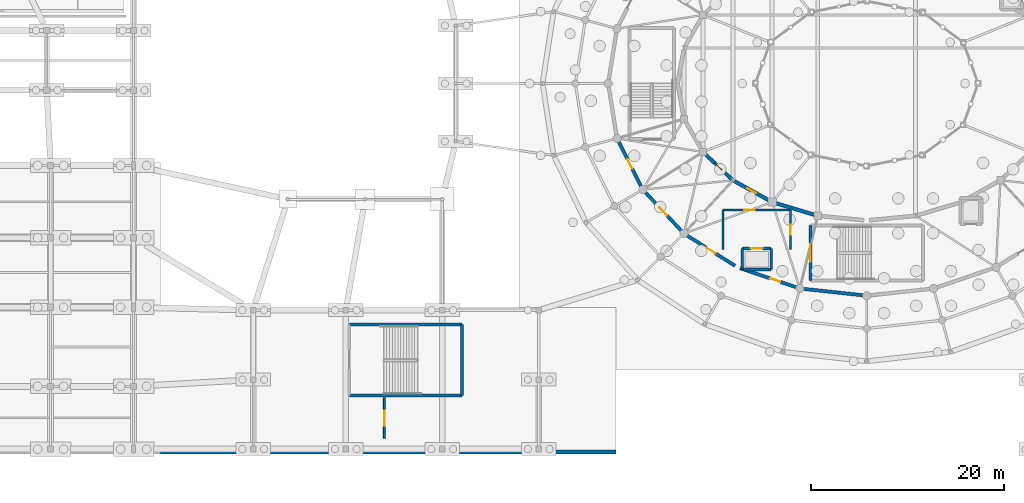
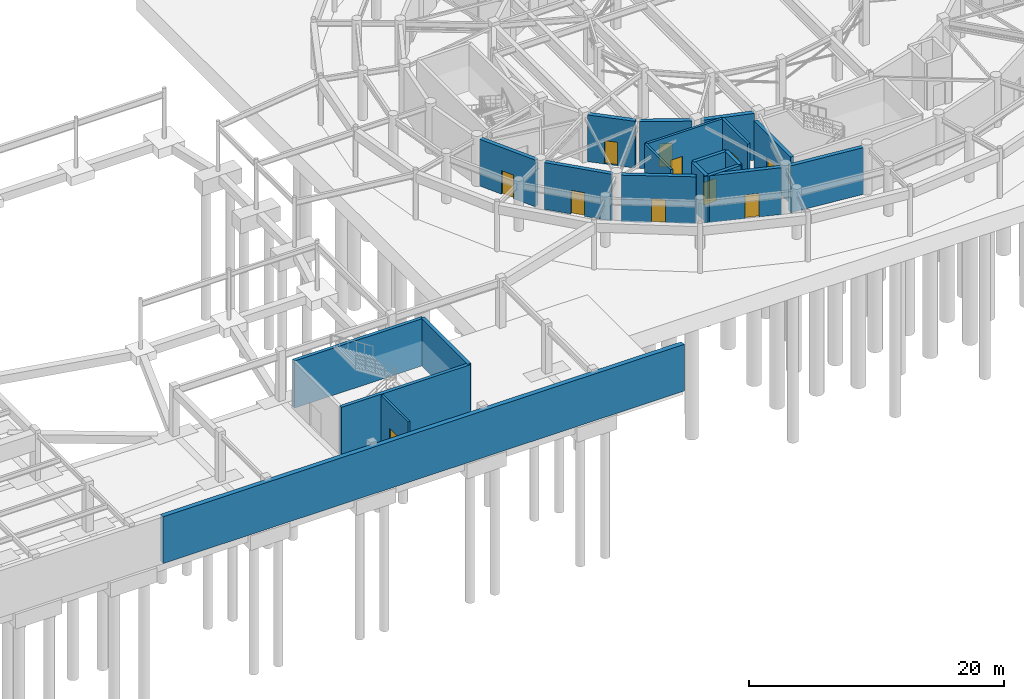
# One storey, part 37 of 68: 21 walls, 11 doors, 11 openings.
"""IFC4 building model written with IfcOpenShell, lengths in metres."""

import ifcopenshell
import ifcopenshell.guid

model = None  # the IFC model being written
_history = None  # IfcOwnerHistory: only IFC2X3 demands one
_inside = {}  # id of a spatial element -> (the spatial element, [elements in it])
_under = {}  # id of a project, library or spatial element -> (it, [spatial elements below it])
_declared = {}  # id of a project -> (the project, [libraries it declares])
_typed = {}  # id of a type object -> (the type object, [elements of that type])
_made_of = {}  # id of a material, layer set ... -> (it, [elements and type objects made of it])


def new_model(schema):
    """Start an empty IFC model of exactly this schema.

    Asked for "IFC4X3", IfcOpenShell would pick the latest addendum, in which some entities
    have other attributes; the version numbers below select the first issue.
    IFC2X3 requires an IfcOwnerHistory on every rooted entity: one is made here for all.
    """
    global model, _history
    if schema == "IFC4X3":
        model = ifcopenshell.file(schema_version=(4, 3, 0, 0))
    else:
        model = ifcopenshell.file(schema=schema)
    _inside.clear()
    _under.clear()
    _declared.clear()
    _typed.clear()
    _made_of.clear()
    _history = None
    if model.schema == "IFC2X3":
        org = make("IfcOrganization", Name="unknown")
        user = make(
            "IfcPersonAndOrganization",
            ThePerson=make("IfcPerson", FamilyName="unknown"),
            TheOrganization=org,
        )
        app = make(
            "IfcApplication",
            ApplicationDeveloper=org,
            Version="unknown",
            ApplicationFullName="unknown",
            ApplicationIdentifier="unknown",
        )
        _history = make(
            "IfcOwnerHistory",
            OwningUser=user,
            OwningApplication=app,
            ChangeAction="ADDED",
            CreationDate=0,
        )
    return model


def make(cls, **values):
    """One entity of the class cls with the attributes given. An attribute that is None is left unset."""
    return model.create_entity(
        cls, **{name: value for name, value in values.items() if value is not None}
    )


def rooted(cls, **values):
    """An entity with a GlobalId (a new one), such as an element, a storey or a relation."""
    return make(cls, GlobalId=ifcopenshell.guid.new(), OwnerHistory=_history, **values)


def si_unit(unit_type, name, prefix=None):
    """IfcSIUnit, for example si_unit("LENGTHUNIT", "METRE", prefix="MILLI")."""
    return make("IfcSIUnit", UnitType=unit_type, Prefix=prefix, Name=name)


def assignment(units):
    """IfcUnitAssignment: the units of a project."""
    return None if units is None else make("IfcUnitAssignment", Units=units)


def point(xyz):
    """IfcCartesianPoint."""
    return None if xyz is None else make("IfcCartesianPoint", Coordinates=xyz)


def direction(xyz):
    """IfcDirection."""
    return None if xyz is None else make("IfcDirection", DirectionRatios=xyz)


def frame(location, z_axis=None, x_axis=None):
    """IfcAxis2Placement3D, a coordinate frame: its origin and axes. An axis left out is left unset."""
    return make(
        "IfcAxis2Placement3D",
        Location=point(location),
        Axis=direction(z_axis),
        RefDirection=direction(x_axis),
    )


def frame_2d(location, x_axis=None):
    """IfcAxis2Placement2D, a coordinate frame in the plane: its origin and x axis."""
    return make(
        "IfcAxis2Placement2D", Location=point(location), RefDirection=direction(x_axis)
    )


def origin():
    """The frame at (0, 0, 0) with its axes left unset."""
    return frame((0.0, 0.0, 0.0))


def place(relative_to, where):
    """IfcLocalPlacement: puts the frame where relative to a parent placement (None: the world)."""
    return make(
        "IfcLocalPlacement", PlacementRelTo=relative_to, RelativePlacement=where
    )


def context(
    kind, dimensions, precision=None, world=None, true_north=None, identifier=None
):
    """IfcGeometricRepresentationContext, for example the 3D "Model" context."""
    return make(
        "IfcGeometricRepresentationContext",
        ContextIdentifier=identifier,
        ContextType=kind,
        CoordinateSpaceDimension=dimensions,
        Precision=precision,
        WorldCoordinateSystem=world,
        TrueNorth=true_north,
    )


def subcontext(parent, identifier, kind, view, scale=None):
    """IfcGeometricRepresentationSubContext, for example "Body" below "Model"."""
    return make(
        "IfcGeometricRepresentationSubContext",
        ContextIdentifier=identifier,
        ContextType=kind,
        ParentContext=parent,
        TargetScale=scale,
        TargetView=view,
    )


def project(units=None, contexts=None):
    """IfcProject with its units and contexts."""
    return rooted(
        "IfcProject",
        Name="project",
        RepresentationContexts=contexts,
        UnitsInContext=assignment(units),
    )


def spatial(cls, under=None, at=None, **own):
    """A site, building, storey or space (cls), placed at a placement, below another one or the project."""
    s = rooted(cls, ObjectPlacement=at, **own)
    if under is not None:
        _under.setdefault(under.id(), (under, []))[1].append(s)
    return s


def profile(cls, at=None, kind="AREA", **sizes):
    """A parametric profile (cls). Its sizes go by their IFC names, for example OverallWidth=200.0."""
    return make(cls, ProfileType=kind, Position=at, **sizes)


def rectangle(**sizes):
    """IfcRectangleProfileDef."""
    return profile("IfcRectangleProfileDef", **sizes)


def extrude(swept, where, along, depth):
    """IfcExtrudedAreaSolid: the profile swept, set in the frame where, extruded along a direction by depth."""
    return make(
        "IfcExtrudedAreaSolid",
        SweptArea=swept,
        Position=where,
        ExtrudedDirection=direction(along),
        Depth=depth,
    )


def shape(context_of_items, identifier, shape_type, items):
    """IfcShapeRepresentation: the items that make up one representation, for example the "Body"."""
    return make(
        "IfcShapeRepresentation",
        ContextOfItems=context_of_items,
        RepresentationIdentifier=identifier,
        RepresentationType=shape_type,
        Items=items,
    )


def material(Name=None, Category=None):
    """IfcMaterial."""
    return make("IfcMaterial", Name=Name, Category=Category)


def layer(
    of_material, thickness, ventilated=None, Name=None, Category=None, Priority=None
):
    """IfcMaterialLayer: one layer of a wall or slab, of a material (None: an air gap)."""
    return make(
        "IfcMaterialLayer",
        Material=of_material,
        LayerThickness=thickness,
        IsVentilated=ventilated,
        Name=Name,
        Category=Category,
        Priority=Priority,
    )


def layer_set(layers, Name=None):
    """IfcMaterialLayerSet."""
    return make("IfcMaterialLayerSet", MaterialLayers=layers, LayerSetName=Name)


def made_of(thing, what):
    """Note that an element or type object is made of a material, layer set ...; save() writes the relation."""
    if what is not None:
        _made_of.setdefault(what.id(), (what, []))[1].append(thing)
    return thing


def type_object(cls, material=None, **own):
    """A type object (cls), such as IfcWallType, which elements share."""
    return made_of(rooted(cls, **own), material)


def element(
    cls,
    number,
    at=None,
    inside=None,
    cuts=None,
    type_object=None,
    material=None,
    context=None,
    identifier="Body",
    shape_type=None,
    held_by="IfcProductDefinitionShape",
    body=None,
    shapes=None,
    **own,
):
    """One element of the class cls, such as IfcWall. Its Tag is "e" and its number.

    at: its placement. inside: the storey or other place that contains it. cuts: it is an
    opening in that element (IfcRelVoidsElement). A single representation is given by context,
    identifier, shape_type and body (its items); several are given by shapes. held_by: the class
    of the entity that holds the representations. save() writes the other relations.
    """
    e = rooted(cls, Tag="e%d" % number, ObjectPlacement=at, **own)
    if body is not None:
        shapes = [shape(context, identifier, shape_type, body)]
    if shapes is not None:
        e.Representation = make(held_by, Representations=shapes)
    if inside is not None:
        _inside.setdefault(inside.id(), (inside, []))[1].append(e)
    if cuts is not None:
        rooted(
            "IfcRelVoidsElement", RelatingBuildingElement=cuts, RelatedOpeningElement=e
        )
    if type_object is not None:
        _typed.setdefault(type_object.id(), (type_object, []))[1].append(e)
    return made_of(e, material)


def fill(opening, filler):
    """IfcRelFillsElement: the door or window that sits in an opening."""
    return rooted(
        "IfcRelFillsElement",
        RelatingOpeningElement=opening,
        RelatedBuildingElement=filler,
    )


def aggregate(whole, parts):
    """IfcRelAggregates: a whole, such as a stair, and the parts it consists of."""
    return rooted("IfcRelAggregates", RelatingObject=whole, RelatedObjects=parts)


def save(model, path):
    """Write the relations noted so far, then the file.

    IfcRelAggregates (storeys below a building ...), IfcRelContainedInSpatialStructure (elements
    in a storey), IfcRelDefinesByType, IfcRelAssociatesMaterial and IfcRelDeclares: one each for
    every whole, place, type object, material and project.
    """
    for whole, parts in _under.values():
        aggregate(whole, parts)
    for where, things in _inside.values():
        rooted(
            "IfcRelContainedInSpatialStructure",
            RelatedElements=things,
            RelatingStructure=where,
        )
    for kind, things in _typed.values():
        rooted("IfcRelDefinesByType", RelatedObjects=things, RelatingType=kind)
    for what, things in _made_of.values():
        rooted("IfcRelAssociatesMaterial", RelatedObjects=things, RelatingMaterial=what)
    for by, libraries in _declared.values():
        rooted("IfcRelDeclares", RelatingContext=by, RelatedDefinitions=libraries)
    model.write(path)


model = new_model("IFC4")

# Units and contexts
model_context = context("Model", 3, precision=1e-05, world=origin(), true_north=direction((0.0, 1.0)))
body_context = subcontext(model_context, "Body", "Model", "MODEL_VIEW")
ifc_project = project(units=[si_unit("LENGTHUNIT", "METRE"), si_unit("AREAUNIT", "SQUARE_METRE"), si_unit("VOLUMEUNIT", "CUBIC_METRE"), si_unit("PLANEANGLEUNIT", "RADIAN"), si_unit("MASSUNIT", "GRAM", prefix="KILO")], contexts=[model_context])

# Site, building, storey
site_placement = place(None, origin())
site = spatial("IfcSite", under=ifc_project, at=site_placement, CompositionType="ELEMENT")
building_placement = place(site_placement, origin())
building = spatial("IfcBuilding", under=site, at=building_placement, Name="Cinderbank Siding Concert Hall", CompositionType="ELEMENT")
storey_placement = place(building_placement, frame((0.0, 0.0, -4.800048828125)))
storey = spatial("IfcBuildingStorey", under=building, at=storey_placement, Name="B1", CompositionType="ELEMENT", Elevation=-4.800048828125)

# Wall, opening, door
ifc_material_1 = material(Name="Reinforced concrete AS 3600 N50 (50 MPa)", Category="concrete")
ifc_layer_1 = layer(ifc_material_1, 0.3798828125)
ifc_layer_set_1 = layer_set([ifc_layer_1], Name="Reinforced concrete AS 3600 N50 (50 MPa)")
wall_type_1 = type_object("IfcWallType", Name="WL-01 Structural Wall 380mm", PredefinedType="SOLIDWALL", material=ifc_layer_set_1)
wall_1_placement = place(storey_placement, frame((105.233154296875, 36.704345703125, 0.0), z_axis=(0.0, 0.0, 1.0), x_axis=(0.727103094912, -0.686528287377, 0.0)))
wall_1 = element("IfcWall", 1, at=wall_1_placement, inside=storey, type_object=wall_type_1, Name="B1 Structural Wall SW-E1-B1-15", PredefinedType="SOLIDWALL", context=body_context, shape_type="SweptSolid", body=[
    extrude(rectangle(XDim=3.8388671875, YDim=0.3798828125, at=frame_2d((1.91943359375, 0.0))), origin(), (0.0, 0.0, 1.0), 4.47998046875),
])
opening_1_placement = place(wall_1_placement, frame((1.389404296875, 0.0, 0.0)))
opening_1 = element("IfcOpeningElement", 2, at=opening_1_placement, cuts=wall_1, Name="Opening D-18", PredefinedType="OPENING", context=body_context, shape_type="SweptSolid", body=[
    extrude(rectangle(XDim=1.06005859375, YDim=2.239990234375, at=frame_2d((0.530029296875, 1.1201171875))), frame((0.0, 0.201904296875, 0.0), z_axis=(0.0, -1.0, 0.0), x_axis=(1.0, 0.0, 0.0)), (0.0, 0.0, 1.0), 0.40380859375),
])
ifc_material_2 = material(Name="Solid-core spotted gum acoustic timber", Category="wood")
door_type_1 = type_object("IfcDoorType", Name="D-18 Interior Door 1060x2240", OperationType="NOTDEFINED", PredefinedType="DOOR", material=ifc_material_2)
door_1_placement = place(opening_1_placement, origin())
door_1 = element("IfcDoor", 3, at=door_1_placement, inside=storey, type_object=door_type_1, Name="B1 Auditorium Sound-Lock Door B1-D103", OperationType="SINGLE_SWING_RIGHT", OverallHeight=2.239990234375, OverallWidth=1.06005859375, PredefinedType="DOOR", context=body_context, shape_type="SweptSolid", body=[
    extrude(rectangle(XDim=1.06005859375, YDim=2.239990234375, at=frame_2d((0.530029296875, 1.1201171875))), frame((0.0, 0.02490234375, 0.0), z_axis=(0.0, -1.0, 0.0), x_axis=(1.0, 0.0, 0.0)), (0.0, 0.0, 1.0), 0.050048828125),
])
fill(opening_1, door_1)

wall_2_placement = place(storey_placement, frame((108.280517578125, 33.88134765625, 0.0), z_axis=(0.0, 0.0, 1.0), x_axis=(0.874014845015, -0.485899218659, 0.0)))
wall_2 = element("IfcWall", 4, at=wall_2_placement, inside=storey, type_object=wall_type_1, Name="B1 Structural Wall SW-E1-B1-16", PredefinedType="SOLIDWALL", context=body_context, shape_type="SweptSolid", body=[
    extrude(rectangle(XDim=4.12451171875, YDim=0.3798828125, at=frame_2d((2.062255859375, 0.0))), origin(), (0.0, 0.0, 1.0), 4.47998046875),
])
opening_2_placement = place(wall_2_placement, frame((1.5322265625, 0.0, 0.0)))
opening_2 = element("IfcOpeningElement", 5, at=opening_2_placement, cuts=wall_2, Name="Opening D-18", PredefinedType="OPENING", context=body_context, shape_type="SweptSolid", body=[
    extrude(rectangle(XDim=1.06005859375, YDim=2.239990234375, at=frame_2d((0.530029296875, 1.1201171875))), frame((0.0, 0.201904296875, 0.0), z_axis=(0.0, -1.0, 0.0), x_axis=(1.0, 0.0, 0.0)), (0.0, 0.0, 1.0), 0.40380859375),
])
door_2_placement = place(opening_2_placement, origin())
door_2 = element("IfcDoor", 6, at=door_2_placement, inside=storey, type_object=door_type_1, Name="B1 Auditorium Sound-Lock Door B1-D104", OperationType="SINGLE_SWING_LEFT", OverallHeight=2.239990234375, OverallWidth=1.06005859375, PredefinedType="DOOR", context=body_context, shape_type="SweptSolid", body=[
    extrude(rectangle(XDim=1.06005859375, YDim=2.239990234375, at=frame_2d((0.530029296875, 1.1201171875))), frame((0.0, 0.02490234375, 0.0), z_axis=(0.0, -1.0, 0.0), x_axis=(1.0, 0.0, 0.0)), (0.0, 0.0, 1.0), 0.050048828125),
])
fill(opening_2, door_2)

# Wall
wall_3_placement = place(storey_placement, frame((112.544921875, 31.598876953125, 0.0), z_axis=(0.0, 0.0, 1.0), x_axis=(0.95780895372, -0.287405650907, 0.0)))
element("IfcWall", 7, at=wall_3_placement, inside=storey, type_object=wall_type_1, Name="B1 Structural Wall SW-E1-B1-17", PredefinedType="SOLIDWALL", context=body_context, shape_type="SweptSolid", body=[
    extrude(rectangle(XDim=4.26513671875, YDim=0.3798828125, at=frame_2d((2.132568359375, 0.0))), origin(), (0.0, 0.0, 1.0), 4.47998046875),
])

# Wall, opening, door
ifc_layer_2 = layer(ifc_material_1, 0.35009765625)
ifc_layer_set_2 = layer_set([ifc_layer_2], Name="Reinforced concrete AS 3600 N50 (50 MPa)")
wall_type_2 = type_object("IfcWallType", Name="WL-02 Structural Wall 350mm", PredefinedType="SHEAR", material=ifc_layer_set_2)
wall_4_placement = place(storey_placement, frame((96.275390625, 37.984619140625, 0.0), z_axis=(0.0, 0.0, 1.0), x_axis=(0.450482420117, -0.892785298471, 0.0)))
wall_4 = element("IfcWall", 8, at=wall_4_placement, inside=storey, type_object=wall_type_2, Name="B1 Structural Wall SW-E2-B1-14", PredefinedType="SHEAR", context=body_context, shape_type="SweptSolid", body=[
    extrude(rectangle(XDim=5.223388671875, YDim=0.35009765625, at=frame_2d((2.61181640625, 0.0))), origin(), (0.0, 0.0, 1.0), 4.47998046875),
])
opening_3_placement = place(wall_4_placement, frame((2.051513671875, 0.0, 0.0)))
opening_3 = element("IfcOpeningElement", 9, at=opening_3_placement, cuts=wall_4, Name="Opening D-19", PredefinedType="OPENING", context=body_context, shape_type="SweptSolid", body=[
    extrude(rectangle(XDim=1.1201171875, YDim=2.260009765625, at=frame_2d((0.56005859375, 1.1298828125))), frame((0.0, 0.18701171875, 0.0), z_axis=(0.0, -1.0, 0.0), x_axis=(1.0, 0.0, 0.0)), (0.0, 0.0, 1.0), 0.3740234375),
])
door_type_2 = type_object("IfcDoorType", Name="D-19 Interior Door 1120x2260", OperationType="NOTDEFINED", PredefinedType="DOOR", material=ifc_material_2)
door_3_placement = place(opening_3_placement, origin())
door_3 = element("IfcDoor", 10, at=door_3_placement, inside=storey, type_object=door_type_2, Name="B1 Auditorium Sound-Lock Door B1-D112", OperationType="SINGLE_SWING_LEFT", OverallHeight=2.260009765625, OverallWidth=1.1201171875, PredefinedType="DOOR", context=body_context, shape_type="SweptSolid", body=[
    extrude(rectangle(XDim=1.1201171875, YDim=2.260009765625, at=frame_2d((0.56005859375, 1.1298828125))), frame((0.0, 0.02490234375, 0.0), z_axis=(0.0, -1.0, 0.0), x_axis=(1.0, 0.0, 0.0)), (0.0, 0.0, 1.0), 0.050048828125),
])
fill(opening_3, door_3)

wall_5_placement = place(storey_placement, frame((99.036376953125, 32.737060546875, 0.0), z_axis=(0.0, 0.0, 1.0), x_axis=(0.682874636689, -0.730535577893, 0.0)))
wall_5 = element("IfcWall", 11, at=wall_5_placement, inside=storey, type_object=wall_type_2, Name="B1 Structural Wall SW-E2-B1-15", PredefinedType="SHEAR", context=body_context, shape_type="SweptSolid", body=[
    extrude(rectangle(XDim=5.516845703125, YDim=0.35009765625, at=frame_2d((2.75830078125, 0.0))), origin(), (0.0, 0.0, 1.0), 4.47998046875),
])
opening_4_placement = place(wall_5_placement, frame((2.198486328125, 0.0, 0.0)))
opening_4 = element("IfcOpeningElement", 12, at=opening_4_placement, cuts=wall_5, Name="Opening D-19", PredefinedType="OPENING", context=body_context, shape_type="SweptSolid", body=[
    extrude(rectangle(XDim=1.1201171875, YDim=2.260009765625, at=frame_2d((0.56005859375, 1.1298828125))), frame((0.0, 0.18701171875, 0.0), z_axis=(0.0, -1.0, 0.0), x_axis=(1.0, 0.0, 0.0)), (0.0, 0.0, 1.0), 0.3740234375),
])
door_4_placement = place(opening_4_placement, origin())
door_4 = element("IfcDoor", 13, at=door_4_placement, inside=storey, type_object=door_type_2, Name="B1 Auditorium Sound-Lock Door B1-D113", OperationType="SINGLE_SWING_RIGHT", OverallHeight=2.260009765625, OverallWidth=1.1201171875, PredefinedType="DOOR", context=body_context, shape_type="SweptSolid", body=[
    extrude(rectangle(XDim=1.1201171875, YDim=2.260009765625, at=frame_2d((0.56005859375, 1.1298828125))), frame((0.0, 0.02490234375, 0.0), z_axis=(0.0, -1.0, 0.0), x_axis=(1.0, 0.0, 0.0)), (0.0, 0.0, 1.0), 0.050048828125),
])
fill(opening_4, door_4)

wall_6_placement = place(storey_placement, frame((103.35400390625, 28.251708984375, 0.0), z_axis=(0.0, 0.0, 1.0), x_axis=(0.846151979506, -0.532941673712, 0.0)))
wall_6 = element("IfcWall", 14, at=wall_6_placement, inside=storey, type_object=wall_type_2, Name="B1 Structural Wall SW-E2-B1-16", PredefinedType="SHEAR", context=body_context, shape_type="SweptSolid", body=[
    extrude(rectangle(XDim=5.89990234375, YDim=0.35009765625, at=frame_2d((2.949951171875, 0.0))), origin(), (0.0, 0.0, 1.0), 4.47998046875),
])
opening_5_placement = place(wall_6_placement, frame((2.389892578125, 0.0, 0.0)))
opening_5 = element("IfcOpeningElement", 15, at=opening_5_placement, cuts=wall_6, Name="Opening D-19", PredefinedType="OPENING", context=body_context, shape_type="SweptSolid", body=[
    extrude(rectangle(XDim=1.1201171875, YDim=2.260009765625, at=frame_2d((0.56005859375, 1.1298828125))), frame((0.0, 0.18701171875, 0.0), z_axis=(0.0, -1.0, 0.0), x_axis=(1.0, 0.0, 0.0)), (0.0, 0.0, 1.0), 0.3740234375),
])
door_5_placement = place(opening_5_placement, origin())
door_5 = element("IfcDoor", 16, at=door_5_placement, inside=storey, type_object=door_type_2, Name="B1 Auditorium Sound-Lock Door B1-D114", OperationType="SINGLE_SWING_LEFT", OverallHeight=2.260009765625, OverallWidth=1.1201171875, PredefinedType="DOOR", context=body_context, shape_type="SweptSolid", body=[
    extrude(rectangle(XDim=1.1201171875, YDim=2.260009765625, at=frame_2d((0.56005859375, 1.1298828125))), frame((0.0, 0.02490234375, 0.0), z_axis=(0.0, -1.0, 0.0), x_axis=(1.0, 0.0, 0.0)), (0.0, 0.0, 1.0), 0.050048828125),
])
fill(opening_5, door_5)

wall_7_placement = place(storey_placement, frame((108.884033203125, 24.850830078125, 0.0), z_axis=(0.0, 0.0, 1.0), x_axis=(0.946765988255, -0.321922604804, 0.0)))
wall_7 = element("IfcWall", 17, at=wall_7_placement, inside=storey, type_object=wall_type_2, Name="B1 Structural Wall SW-E2-B1-17", PredefinedType="SHEAR", context=body_context, shape_type="SweptSolid", body=[
    extrude(rectangle(XDim=6.167236328125, YDim=0.35009765625, at=frame_2d((3.08349609375, 0.0))), origin(), (0.0, 0.0, 1.0), 4.47998046875),
])
opening_6_placement = place(wall_7_placement, frame((3.2734375, 0.0, 0.0)))
opening_6 = element("IfcOpeningElement", 18, at=opening_6_placement, cuts=wall_7, Name="Opening D-19", PredefinedType="OPENING", context=body_context, shape_type="SweptSolid", body=[
    extrude(rectangle(XDim=1.1201171875, YDim=2.260009765625, at=frame_2d((0.56005859375, 1.1298828125))), frame((0.0, 0.18701171875, 0.0), z_axis=(0.0, -1.0, 0.0), x_axis=(1.0, 0.0, 0.0)), (0.0, 0.0, 1.0), 0.3740234375),
])
door_6_placement = place(opening_6_placement, origin())
door_6 = element("IfcDoor", 19, at=door_6_placement, inside=storey, type_object=door_type_2, Name="B1 Auditorium Sound-Lock Door B1-D115", OperationType="SINGLE_SWING_RIGHT", OverallHeight=2.260009765625, OverallWidth=1.1201171875, PredefinedType="DOOR", context=body_context, shape_type="SweptSolid", body=[
    extrude(rectangle(XDim=1.1201171875, YDim=2.260009765625, at=frame_2d((0.56005859375, 1.1298828125))), frame((0.0, 0.02490234375, 0.0), z_axis=(0.0, -1.0, 0.0), x_axis=(1.0, 0.0, 0.0)), (0.0, 0.0, 1.0), 0.050048828125),
])
fill(opening_6, door_6)

# Wall
wall_8_placement = place(storey_placement, frame((115.42138671875, 22.7109375, 0.0), z_axis=(0.0, 0.0, 1.0), x_axis=(0.994213694453, -0.107420341477, 0.0)))
element("IfcWall", 20, at=wall_8_placement, inside=storey, type_object=wall_type_2, Name="B1 Structural Wall SW-E2-B1-18", PredefinedType="SHEAR", context=body_context, shape_type="SweptSolid", body=[
    extrude(rectangle(XDim=6.2568359375, YDim=0.35009765625, at=frame_2d((3.12841796875, 0.0))), origin(), (0.0, 0.0, 1.0), 4.47998046875),
])

# Wall, opening, door
ifc_layer_3 = layer(ifc_material_1, 0.300048828125)
ifc_layer_set_3 = layer_set([ifc_layer_3], Name="Reinforced concrete AS 3600 N50 (50 MPa)")
wall_type_3 = type_object("IfcWallType", Name="WL-03 Structural Wall 300mm", PredefinedType="SHEAR", material=ifc_layer_set_3)
wall_9_placement = place(storey_placement, frame((116.159912109375, 23.56005859375, 0.0), z_axis=(0.0, 0.0, 1.0), x_axis=(0.0, 1.0, 0.0)))
wall_9 = element("IfcWall", 21, at=wall_9_placement, inside=storey, type_object=wall_type_3, Name="B1 ST-02 Core Wall ENTRY", PredefinedType="SHEAR", context=body_context, shape_type="SweptSolid", body=[
    extrude(rectangle(XDim=5.739990234375, YDim=0.300048828125, at=frame_2d((2.8701171875, 0.0))), origin(), (0.0, 0.0, 1.0), 4.5),
])
opening_7_placement = place(wall_9_placement, frame((1.969970703125, 0.0, 0.0)))
opening_7 = element("IfcOpeningElement", 22, at=opening_7_placement, cuts=wall_9, Name="Opening D-05", PredefinedType="OPENING", context=body_context, shape_type="SweptSolid", body=[
    extrude(rectangle(XDim=1.800048828125, YDim=2.199951171875, at=frame_2d((0.89990234375, 1.10009765625))), frame((0.0, 0.162109375, 0.0), z_axis=(0.0, -1.0, 0.0), x_axis=(1.0, 0.0, 0.0)), (0.0, 0.0, 1.0), 0.323974609375),
])
ifc_material_3 = material(Name="Galvanised sheet steel acoustic fire door assembly", Category="steel")
door_type_3 = type_object("IfcDoorType", Name="D-05 Interior Door 1800x2200", OperationType="DOUBLE_DOOR_SINGLE_SWING", PredefinedType="DOOR", material=ifc_material_3)
door_7_placement = place(opening_7_placement, origin())
door_7 = element("IfcDoor", 23, at=door_7_placement, inside=storey, type_object=door_type_3, Name="B1 ST-02 Fire Stair Door B1-D008", OperationType="DOUBLE_DOOR_SINGLE_SWING", OverallHeight=2.199951171875, OverallWidth=1.800048828125, PredefinedType="DOOR", context=body_context, shape_type="SweptSolid", body=[
    extrude(rectangle(XDim=1.800048828125, YDim=2.199951171875, at=frame_2d((0.89990234375, 1.10009765625))), frame((0.0, 0.02490234375, 0.0), z_axis=(0.0, -1.0, 0.0), x_axis=(1.0, 0.0, 0.0)), (0.0, 0.0, 1.0), 0.050048828125),
])
fill(opening_7, door_7)

# Walls
wall_10_placement = place(storey_placement, frame((80.0400390625, 19.0, 0.0), z_axis=(0.0, 0.0, 1.0), x_axis=(0.0, -1.0, 0.0)))
element("IfcWall", 24, at=wall_10_placement, inside=storey, type_object=wall_type_3, Name="B1 ST-08 Core Wall FAR", PredefinedType="SHEAR", context=body_context, shape_type="SweptSolid", body=[
    extrude(rectangle(XDim=7.340087890625, YDim=0.300048828125, at=frame_2d((3.669921875, 0.0))), origin(), (0.0, 0.0, 1.0), 4.52001953125),
])
for number, where, z_axis, x_axis, name in (
    (25, (80.0400390625, 11.659912109375, 0.0), (0.0, 0.0, 1.0), (-1.0, 0.0, 0.0), "B1 ST-08 Core Wall SIDE1"),
    (26, (68.360107421875, 19.0, 0.0), (0.0, 0.0, 1.0), (1.0, 0.0, 0.0), "B1 ST-08 Core Wall SIDE2"),
):
    element("IfcWall", number, at=place(storey_placement, frame(where, z_axis=z_axis, x_axis=x_axis)), inside=storey, type_object=wall_type_3, Name=name, PredefinedType="SHEAR", context=body_context, shape_type="SweptSolid", body=[
        extrude(rectangle(XDim=11.679931640625, YDim=0.300048828125, at=frame_2d((5.83984375, 0.0))), origin(), (0.0, 0.0, 1.0), 4.52001953125),
    ])
wall_11_placement = place(storey_placement, frame((112.10009765625, 24.699951171875, 0.0), z_axis=(0.0, 0.0, 1.0), x_axis=(-1.0, 0.0, 0.0)))
element("IfcWall", 27, at=wall_11_placement, inside=storey, type_object=wall_type_3, Name="B1 LF-05 Shaft Wall -Y", PredefinedType="SHEAR", context=body_context, shape_type="SweptSolid", body=[
    extrude(rectangle(XDim=3.0, YDim=0.300048828125, at=frame_2d((1.5, 0.0))), origin(), (0.0, 0.0, 1.0), 4.47998046875),
])
wall_12_placement = place(storey_placement, frame((112.10009765625, 26.89990234375, 0.0), z_axis=(0.0, 0.0, 1.0), x_axis=(0.0, -1.0, 0.0)))
element("IfcWall", 28, at=wall_12_placement, inside=storey, type_object=wall_type_3, Name="B1 LF-05 Shaft Wall +X", PredefinedType="SHEAR", context=body_context, shape_type="SweptSolid", body=[
    extrude(rectangle(XDim=2.199951171875, YDim=0.300048828125, at=frame_2d((1.10009765625, 0.0))), origin(), (0.0, 0.0, 1.0), 4.5),
])

# Wall, opening, door
wall_13_placement = place(storey_placement, frame((109.10009765625, 26.89990234375, 0.0), z_axis=(0.0, 0.0, 1.0), x_axis=(1.0, 0.0, 0.0)))
wall_13 = element("IfcWall", 29, at=wall_13_placement, inside=storey, type_object=wall_type_3, Name="B1 LF-05 Shaft Wall +Y", PredefinedType="SHEAR", context=body_context, shape_type="SweptSolid", body=[
    extrude(rectangle(XDim=3.0, YDim=0.300048828125, at=frame_2d((1.5, 0.0))), origin(), (0.0, 0.0, 1.0), 4.5),
])
opening_8_placement = place(wall_13_placement, frame((0.89990234375, 0.0, 0.0)))
opening_8 = element("IfcOpeningElement", 30, at=opening_8_placement, cuts=wall_13, Name="Opening LD-02", PredefinedType="OPENING", context=body_context, shape_type="SweptSolid", body=[
    extrude(rectangle(XDim=1.199951171875, YDim=2.14990234375, at=frame_2d((0.60009765625, 1.074951171875))), frame((0.0, 0.162109375, 0.0), z_axis=(0.0, -1.0, 0.0), x_axis=(1.0, 0.0, 0.0)), (0.0, 0.0, 1.0), 0.323974609375),
])
door_type_4 = type_object("IfcDoorType", Name="LD-02 Interior Door 1200x2150", OperationType="DOUBLE_DOOR_SLIDING", PredefinedType="DOOR", material=ifc_material_3)
door_8_placement = place(opening_8_placement, origin())
door_8 = element("IfcDoor", 31, at=door_8_placement, inside=storey, type_object=door_type_4, Name="B1 LF-05 Sliding Landing Door", OperationType="DOUBLE_DOOR_SLIDING", OverallHeight=2.14990234375, OverallWidth=1.199951171875, PredefinedType="DOOR", context=body_context, shape_type="SweptSolid", body=[
    extrude(rectangle(XDim=1.199951171875, YDim=2.14990234375, at=frame_2d((0.60009765625, 1.074951171875))), frame((0.0, 0.02490234375, 0.0), z_axis=(0.0, -1.0, 0.0), x_axis=(1.0, 0.0, 0.0)), (0.0, 0.0, 1.0), 0.050048828125),
])
fill(opening_8, door_8)

# Walls
wall_14_placement = place(storey_placement, frame((109.10009765625, 24.699951171875, 0.0), z_axis=(0.0, 0.0, 1.0), x_axis=(0.0, 1.0, 0.0)))
element("IfcWall", 32, at=wall_14_placement, inside=storey, type_object=wall_type_3, Name="B1 LF-05 Shaft Wall -X", PredefinedType="SHEAR", context=body_context, shape_type="SweptSolid", body=[
    extrude(rectangle(XDim=2.199951171875, YDim=0.300048828125, at=frame_2d((1.10009765625, 0.0))), origin(), (0.0, 0.0, 1.0), 4.47998046875),
])
ifc_material_4 = material(Name="Reinforced concrete AS 3600 N40 (40 MPa)", Category="concrete")
ifc_layer_4 = layer(ifc_material_4, 0.419921875)
ifc_layer_set_4 = layer_set([ifc_layer_4], Name="Reinforced concrete AS 3600 N40 (40 MPa)")
wall_type_4 = type_object("IfcWallType", Name="WL-04 Structural Wall 420mm", PredefinedType="SOLIDWALL", material=ifc_layer_set_4)
wall_15_placement = place(storey_placement, frame((48.800048828125, 5.800048828125, 0.0), z_axis=(0.0, 0.0, 1.0), x_axis=(1.0, 0.0, 0.0)))
element("IfcWall", 33, at=wall_15_placement, inside=storey, type_object=wall_type_4, Name="B1 Structural Wall SW-B1-RET-02", PredefinedType="SOLIDWALL", context=body_context, shape_type="SweptSolid", body=[
    extrude(rectangle(XDim=47.199951171875, YDim=0.419921875, at=frame_2d((23.60009765625, 0.0))), origin(), (0.0, 0.0, 1.0), 4.47998046875),
])

# Wall, opening, door
ifc_layer_5 = layer(ifc_material_1, 0.219970703125)
ifc_layer_set_5 = layer_set([ifc_layer_5], Name="Reinforced concrete AS 3600 N50 (50 MPa)")
wall_type_5 = type_object("IfcWallType", Name="WL-06 Interior Wall 220mm", PredefinedType="SOLIDWALL", material=ifc_layer_set_5)
wall_16_placement = place(storey_placement, frame((107.10009765625, 30.89990234375, 0.0), z_axis=(0.0, 0.0, 1.0), x_axis=(1.0, 0.0, 0.0)))
wall_16 = element("IfcWall", 34, at=wall_16_placement, inside=storey, type_object=wall_type_5, Name="B1 Firefighting Lobby Wall FFLS-N", PredefinedType="SOLIDWALL", context=body_context, shape_type="SweptSolid", body=[
    extrude(rectangle(XDim=7.0, YDim=0.219970703125, at=frame_2d((3.5, 0.0))), origin(), (0.0, 0.0, 1.0), 4.485107421875),
])
opening_9_placement = place(wall_16_placement, frame((2.22509765625, 0.0, 0.0)))
opening_9 = element("IfcOpeningElement", 35, at=opening_9_placement, cuts=wall_16, Name="Opening D-02", PredefinedType="OPENING", context=body_context, shape_type="SweptSolid", body=[
    extrude(rectangle(XDim=1.050048828125, YDim=2.14990234375, at=frame_2d((0.52490234375, 1.074951171875))), frame((0.0, 0.1220703125, 0.0), z_axis=(0.0, -1.0, 0.0), x_axis=(1.0, 0.0, 0.0)), (0.0, 0.0, 1.0), 0.243896484375),
])
door_type_5 = type_object("IfcDoorType", Name="D-02 Interior Door 1050x2150", OperationType="NOTDEFINED", PredefinedType="DOOR", material=ifc_material_3)
door_9_placement = place(opening_9_placement, origin())
door_9 = element("IfcDoor", 36, at=door_9_placement, inside=storey, type_object=door_type_5, Name="B1 Firefighting Lobby Door B1-D064", OperationType="SINGLE_SWING_LEFT", OverallHeight=2.14990234375, OverallWidth=1.050048828125, PredefinedType="DOOR", context=body_context, shape_type="SweptSolid", body=[
    extrude(rectangle(XDim=1.050048828125, YDim=2.14990234375, at=frame_2d((0.52490234375, 1.074951171875))), frame((0.0, 0.02490234375, 0.0), z_axis=(0.0, -1.0, 0.0), x_axis=(1.0, 0.0, 0.0)), (0.0, 0.0, 1.0), 0.050048828125),
])
fill(opening_9, door_9)

# Wall
wall_17_placement = place(storey_placement, frame((107.10009765625, 26.800048828125, 0.0), z_axis=(0.0, 0.0, 1.0), x_axis=(0.0, 1.0, 0.0)))
element("IfcWall", 37, at=wall_17_placement, inside=storey, type_object=wall_type_5, Name="B1 Firefighting Lobby Wall FFLS-W", PredefinedType="SOLIDWALL", context=body_context, shape_type="SweptSolid", body=[
    extrude(rectangle(XDim=4.099853515625, YDim=0.219970703125, at=frame_2d((2.0498046875, 0.0))), origin(), (0.0, 0.0, 1.0), 4.485107421875),
])

# Wall, opening, door
wall_18_placement = place(storey_placement, frame((114.10009765625, 30.89990234375, 0.0), z_axis=(0.0, 0.0, 1.0), x_axis=(0.0, -1.0, 0.0)))
wall_18 = element("IfcWall", 38, at=wall_18_placement, inside=storey, type_object=wall_type_5, Name="B1 Firefighting Lobby Wall FFLS-E", PredefinedType="SOLIDWALL", context=body_context, shape_type="SweptSolid", body=[
    extrude(rectangle(XDim=4.099853515625, YDim=0.219970703125, at=frame_2d((2.0498046875, 0.0))), origin(), (0.0, 0.0, 1.0), 4.485107421875),
])
opening_10_placement = place(wall_18_placement, frame((1.52490234375, 0.0, 0.0)))
opening_10 = element("IfcOpeningElement", 39, at=opening_10_placement, cuts=wall_18, Name="Opening D-02", PredefinedType="OPENING", context=body_context, shape_type="SweptSolid", body=[
    extrude(rectangle(XDim=1.050048828125, YDim=2.14990234375, at=frame_2d((0.52490234375, 1.074951171875))), frame((0.0, 0.1220703125, 0.0), z_axis=(0.0, -1.0, 0.0), x_axis=(1.0, 0.0, 0.0)), (0.0, 0.0, 1.0), 0.243896484375),
])
door_10_placement = place(opening_10_placement, origin())
door_10 = element("IfcDoor", 40, at=door_10_placement, inside=storey, type_object=door_type_5, Name="B1 Firefighting Lobby Door B1-D065", OperationType="SINGLE_SWING_RIGHT", OverallHeight=2.14990234375, OverallWidth=1.050048828125, PredefinedType="DOOR", context=body_context, shape_type="SweptSolid", body=[
    extrude(rectangle(XDim=1.050048828125, YDim=2.14990234375, at=frame_2d((0.52490234375, 1.074951171875))), frame((0.0, 0.02490234375, 0.0), z_axis=(0.0, -1.0, 0.0), x_axis=(1.0, 0.0, 0.0)), (0.0, 0.0, 1.0), 0.050048828125),
])
fill(opening_10, door_10)

ifc_material_5 = material(Name="Acoustic plasterboard on light-gauge steel studs", Category="gypsum")
ifc_layer_6 = layer(ifc_material_5, 0.199951171875)
ifc_layer_set_6 = layer_set([ifc_layer_6], Name="Acoustic plasterboard on light-gauge steel studs")
wall_type_6 = type_object("IfcWallType", Name="WL-12 Interior Wall 200mm", PredefinedType="PARTITIONING", material=ifc_layer_set_6)
wall_19_placement = place(storey_placement, frame((72.0, 7.199951171875, 0.0), z_axis=(0.0, 0.0, 1.0), x_axis=(0.0, 1.0, 0.0)))
wall_19 = element("IfcWall", 41, at=wall_19_placement, inside=storey, type_object=wall_type_6, Name="B1 Partition Stage Technical Store Entry", PredefinedType="PARTITIONING", context=body_context, shape_type="SweptSolid", body=[
    extrude(rectangle(XDim=4.199951171875, YDim=0.199951171875, at=frame_2d((2.10009765625, 0.0))), origin(), (0.0, 0.0, 1.0), 4.505126953125),
])
opening_11_placement = place(wall_19_placement, frame((1.300048828125, 0.0, 0.0)))
opening_11 = element("IfcOpeningElement", 42, at=opening_11_placement, cuts=wall_19, Name="Opening D-14", PredefinedType="OPENING", context=body_context, shape_type="SweptSolid", body=[
    extrude(rectangle(XDim=1.60009765625, YDim=2.14990234375, at=frame_2d((0.800048828125, 1.074951171875))), frame((0.0, 0.11181640625, 0.0), z_axis=(0.0, -1.0, 0.0), x_axis=(1.0, 0.0, 0.0)), (0.0, 0.0, 1.0), 0.223876953125),
])
door_type_6 = type_object("IfcDoorType", Name="D-14 Interior Door 1600x2150", OperationType="DOUBLE_DOOR_SINGLE_SWING", PredefinedType="DOOR", material=ifc_material_3)
door_11_placement = place(opening_11_placement, origin())
door_11 = element("IfcDoor", 43, at=door_11_placement, inside=storey, type_object=door_type_6, Name="B1 Stage Technical Store Entry Door B1-D237", OperationType="DOUBLE_DOOR_SINGLE_SWING", OverallHeight=2.14990234375, OverallWidth=1.60009765625, PredefinedType="DOOR", context=body_context, shape_type="SweptSolid", body=[
    extrude(rectangle(XDim=1.60009765625, YDim=2.14990234375, at=frame_2d((0.800048828125, 1.074951171875))), frame((0.0, 0.02490234375, 0.0), z_axis=(0.0, -1.0, 0.0), x_axis=(1.0, 0.0, 0.0)), (0.0, 0.0, 1.0), 0.050048828125),
])
fill(opening_11, door_11)

save(model, "model.ifc")
